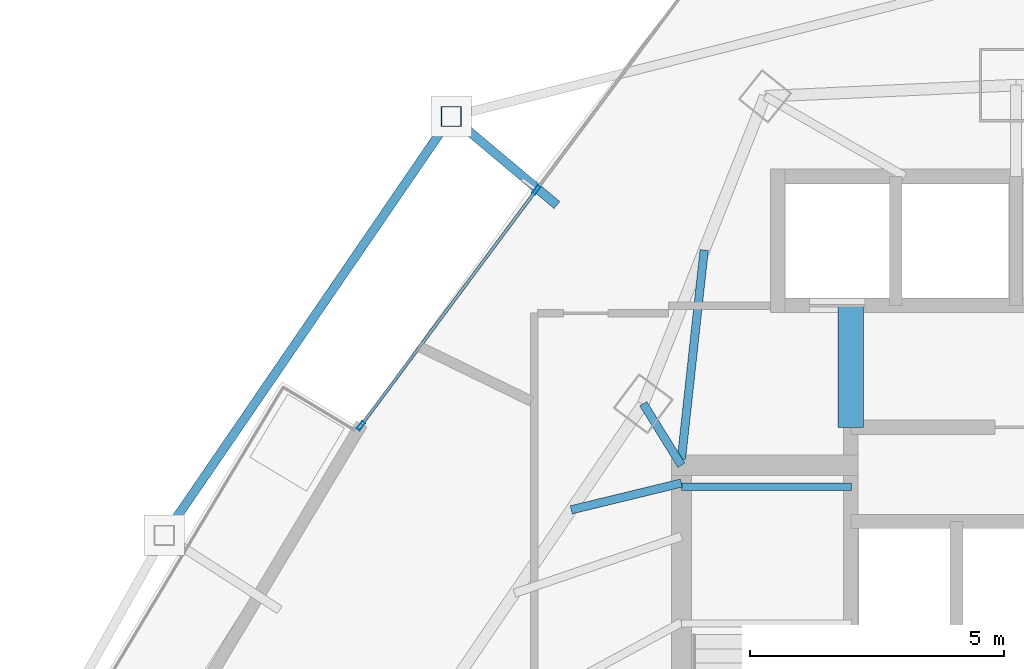
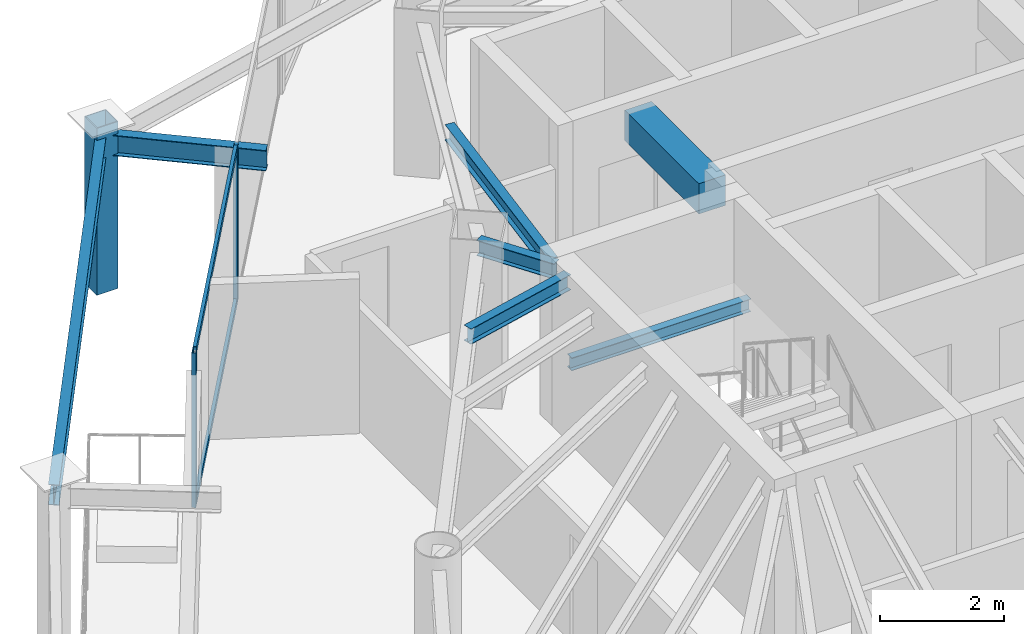
# One storey, part 17 of 31: 7 beams, 5 members, 1 element without a shape of its own.
"""IFC4 building model written with IfcOpenShell, lengths in metres."""

import ifcopenshell
import ifcopenshell.guid

model = None  # the IFC model being written
_history = None  # IfcOwnerHistory: only IFC2X3 demands one
_inside = {}  # id of a spatial element -> (the spatial element, [elements in it])
_under = {}  # id of a project, library or spatial element -> (it, [spatial elements below it])
_declared = {}  # id of a project -> (the project, [libraries it declares])
_typed = {}  # id of a type object -> (the type object, [elements of that type])
_made_of = {}  # id of a material, layer set ... -> (it, [elements and type objects made of it])


def new_model(schema):
    """Start an empty IFC model of exactly this schema.

    Asked for "IFC4X3", IfcOpenShell would pick the latest addendum, in which some entities
    have other attributes; the version numbers below select the first issue.
    IFC2X3 requires an IfcOwnerHistory on every rooted entity: one is made here for all.
    """
    global model, _history
    if schema == "IFC4X3":
        model = ifcopenshell.file(schema_version=(4, 3, 0, 0))
    else:
        model = ifcopenshell.file(schema=schema)
    _inside.clear()
    _under.clear()
    _declared.clear()
    _typed.clear()
    _made_of.clear()
    _history = None
    if model.schema == "IFC2X3":
        org = make("IfcOrganization", Name="unknown")
        user = make(
            "IfcPersonAndOrganization",
            ThePerson=make("IfcPerson", FamilyName="unknown"),
            TheOrganization=org,
        )
        app = make(
            "IfcApplication",
            ApplicationDeveloper=org,
            Version="unknown",
            ApplicationFullName="unknown",
            ApplicationIdentifier="unknown",
        )
        _history = make(
            "IfcOwnerHistory",
            OwningUser=user,
            OwningApplication=app,
            ChangeAction="ADDED",
            CreationDate=0,
        )
    return model


def make(cls, **values):
    """One entity of the class cls with the attributes given. An attribute that is None is left unset."""
    return model.create_entity(
        cls, **{name: value for name, value in values.items() if value is not None}
    )


def rooted(cls, **values):
    """An entity with a GlobalId (a new one), such as an element, a storey or a relation."""
    return make(cls, GlobalId=ifcopenshell.guid.new(), OwnerHistory=_history, **values)


def si_unit(unit_type, name, prefix=None):
    """IfcSIUnit, for example si_unit("LENGTHUNIT", "METRE", prefix="MILLI")."""
    return make("IfcSIUnit", UnitType=unit_type, Prefix=prefix, Name=name)


def assignment(units):
    """IfcUnitAssignment: the units of a project."""
    return None if units is None else make("IfcUnitAssignment", Units=units)


def point(xyz):
    """IfcCartesianPoint."""
    return None if xyz is None else make("IfcCartesianPoint", Coordinates=xyz)


def direction(xyz):
    """IfcDirection."""
    return None if xyz is None else make("IfcDirection", DirectionRatios=xyz)


def frame(location, z_axis=None, x_axis=None):
    """IfcAxis2Placement3D, a coordinate frame: its origin and axes. An axis left out is left unset."""
    return make(
        "IfcAxis2Placement3D",
        Location=point(location),
        Axis=direction(z_axis),
        RefDirection=direction(x_axis),
    )


def frame_2d(location, x_axis=None):
    """IfcAxis2Placement2D, a coordinate frame in the plane: its origin and x axis."""
    return make(
        "IfcAxis2Placement2D", Location=point(location), RefDirection=direction(x_axis)
    )


def origin():
    """The frame at (0, 0, 0) with its axes left unset."""
    return frame((0.0, 0.0, 0.0))


def origin_2d():
    """The frame at (0, 0) in the plane with its x axis left unset."""
    return frame_2d((0.0, 0.0))


def place(relative_to, where):
    """IfcLocalPlacement: puts the frame where relative to a parent placement (None: the world)."""
    return make(
        "IfcLocalPlacement", PlacementRelTo=relative_to, RelativePlacement=where
    )


def context(
    kind, dimensions, precision=None, world=None, true_north=None, identifier=None
):
    """IfcGeometricRepresentationContext, for example the 3D "Model" context."""
    return make(
        "IfcGeometricRepresentationContext",
        ContextIdentifier=identifier,
        ContextType=kind,
        CoordinateSpaceDimension=dimensions,
        Precision=precision,
        WorldCoordinateSystem=world,
        TrueNorth=true_north,
    )


def subcontext(parent, identifier, kind, view, scale=None):
    """IfcGeometricRepresentationSubContext, for example "Body" below "Model"."""
    return make(
        "IfcGeometricRepresentationSubContext",
        ContextIdentifier=identifier,
        ContextType=kind,
        ParentContext=parent,
        TargetScale=scale,
        TargetView=view,
    )


def project(units=None, contexts=None):
    """IfcProject with its units and contexts."""
    return rooted(
        "IfcProject",
        Name="project",
        RepresentationContexts=contexts,
        UnitsInContext=assignment(units),
    )


def spatial(cls, under=None, at=None, **own):
    """A site, building, storey or space (cls), placed at a placement, below another one or the project."""
    s = rooted(cls, ObjectPlacement=at, **own)
    if under is not None:
        _under.setdefault(under.id(), (under, []))[1].append(s)
    return s


def profile(cls, at=None, kind="AREA", **sizes):
    """A parametric profile (cls). Its sizes go by their IFC names, for example OverallWidth=200.0."""
    return make(cls, ProfileType=kind, Position=at, **sizes)


def rectangle(**sizes):
    """IfcRectangleProfileDef."""
    return profile("IfcRectangleProfileDef", **sizes)


def hollow_rectangle(**sizes):
    """IfcRectangleHollowProfileDef."""
    return profile("IfcRectangleHollowProfileDef", **sizes)


def i_section(**sizes):
    """IfcIShapeProfileDef."""
    return profile("IfcIShapeProfileDef", **sizes)


def extrude(swept, where, along, depth):
    """IfcExtrudedAreaSolid: the profile swept, set in the frame where, extruded along a direction by depth."""
    return make(
        "IfcExtrudedAreaSolid",
        SweptArea=swept,
        Position=where,
        ExtrudedDirection=direction(along),
        Depth=depth,
    )


def shape(context_of_items, identifier, shape_type, items):
    """IfcShapeRepresentation: the items that make up one representation, for example the "Body"."""
    return make(
        "IfcShapeRepresentation",
        ContextOfItems=context_of_items,
        RepresentationIdentifier=identifier,
        RepresentationType=shape_type,
        Items=items,
    )


def material(Name=None, Category=None):
    """IfcMaterial."""
    return make("IfcMaterial", Name=Name, Category=Category)


def layer(
    of_material, thickness, ventilated=None, Name=None, Category=None, Priority=None
):
    """IfcMaterialLayer: one layer of a wall or slab, of a material (None: an air gap)."""
    return make(
        "IfcMaterialLayer",
        Material=of_material,
        LayerThickness=thickness,
        IsVentilated=ventilated,
        Name=Name,
        Category=Category,
        Priority=Priority,
    )


def layer_set(layers, Name=None):
    """IfcMaterialLayerSet."""
    return make("IfcMaterialLayerSet", MaterialLayers=layers, LayerSetName=Name)


def material_profile(
    of_material, cross_section, Name=None, Category=None, Priority=None
):
    """IfcMaterialProfile: a cross section and its material."""
    return make(
        "IfcMaterialProfile",
        Name=Name,
        Material=of_material,
        Profile=cross_section,
        Priority=Priority,
        Category=Category,
    )


def profile_set(profiles, Name=None, composite=None):
    """IfcMaterialProfileSet."""
    return make(
        "IfcMaterialProfileSet",
        Name=Name,
        MaterialProfiles=profiles,
        CompositeProfile=composite,
    )


def made_of(thing, what):
    """Note that an element or type object is made of a material, layer set ...; save() writes the relation."""
    if what is not None:
        _made_of.setdefault(what.id(), (what, []))[1].append(thing)
    return thing


def type_object(cls, material=None, **own):
    """A type object (cls), such as IfcWallType, which elements share."""
    return made_of(rooted(cls, **own), material)


def element(
    cls,
    number,
    at=None,
    inside=None,
    cuts=None,
    type_object=None,
    material=None,
    context=None,
    identifier="Body",
    shape_type=None,
    held_by="IfcProductDefinitionShape",
    body=None,
    shapes=None,
    **own,
):
    """One element of the class cls, such as IfcWall. Its Tag is "e" and its number.

    at: its placement. inside: the storey or other place that contains it. cuts: it is an
    opening in that element (IfcRelVoidsElement). A single representation is given by context,
    identifier, shape_type and body (its items); several are given by shapes. held_by: the class
    of the entity that holds the representations. save() writes the other relations.
    """
    e = rooted(cls, Tag="e%d" % number, ObjectPlacement=at, **own)
    if body is not None:
        shapes = [shape(context, identifier, shape_type, body)]
    if shapes is not None:
        e.Representation = make(held_by, Representations=shapes)
    if inside is not None:
        _inside.setdefault(inside.id(), (inside, []))[1].append(e)
    if cuts is not None:
        rooted(
            "IfcRelVoidsElement", RelatingBuildingElement=cuts, RelatedOpeningElement=e
        )
    if type_object is not None:
        _typed.setdefault(type_object.id(), (type_object, []))[1].append(e)
    return made_of(e, material)


def aggregate(whole, parts):
    """IfcRelAggregates: a whole, such as a stair, and the parts it consists of."""
    return rooted("IfcRelAggregates", RelatingObject=whole, RelatedObjects=parts)


def save(model, path):
    """Write the relations noted so far, then the file.

    IfcRelAggregates (storeys below a building ...), IfcRelContainedInSpatialStructure (elements
    in a storey), IfcRelDefinesByType, IfcRelAssociatesMaterial and IfcRelDeclares: one each for
    every whole, place, type object, material and project.
    """
    for whole, parts in _under.values():
        aggregate(whole, parts)
    for where, things in _inside.values():
        rooted(
            "IfcRelContainedInSpatialStructure",
            RelatedElements=things,
            RelatingStructure=where,
        )
    for kind, things in _typed.values():
        rooted("IfcRelDefinesByType", RelatedObjects=things, RelatingType=kind)
    for what, things in _made_of.values():
        rooted("IfcRelAssociatesMaterial", RelatedObjects=things, RelatingMaterial=what)
    for by, libraries in _declared.values():
        rooted("IfcRelDeclares", RelatingContext=by, RelatedDefinitions=libraries)
    model.write(path)


model = new_model("IFC4")

# Units and contexts
model_context = context("Model", 3, precision=1e-05, world=origin(), true_north=direction((0.0, 1.0)))
body_context = subcontext(model_context, "Body", "Model", "MODEL_VIEW")
ifc_project = project(units=[si_unit("LENGTHUNIT", "METRE"), si_unit("AREAUNIT", "SQUARE_METRE"), si_unit("VOLUMEUNIT", "CUBIC_METRE"), si_unit("PLANEANGLEUNIT", "RADIAN"), si_unit("MASSUNIT", "GRAM", prefix="KILO")], contexts=[model_context])

# Site, building, storey
site_placement = place(None, origin())
site = spatial("IfcSite", under=ifc_project, at=site_placement, CompositionType="ELEMENT")
building_placement = place(site_placement, origin())
building = spatial("IfcBuilding", under=site, at=building_placement, Name="Orvanel Arch Residences", CompositionType="ELEMENT")
storey_placement = place(building_placement, frame((0.0, 0.0, 113.300048828125)))
storey = spatial("IfcBuildingStorey", under=building, at=storey_placement, Name="L31", CompositionType="ELEMENT", Elevation=113.300048828125)

# Beams
ifc_material_1 = material(Name="Structural steel AS/NZS 3679.1 Grade 300 (300 MPa)", Category="steel")
ifc_material_profile_1 = material_profile(ifc_material_1, i_section(OverallWidth=0.14599609375, OverallDepth=0.251953125, WebThickness=0.006103515625, FlangeThickness=0.008544921875, at=origin_2d()), Name="250UB31.4")
ifc_profile_set_1 = profile_set([ifc_material_profile_1], Name="Structural steel AS/NZS 3679.1 Grade 300 (300 MPa)")
beam_type_1 = type_object("IfcBeamType", Name="BJ-250UB", PredefinedType="JOIST", material=ifc_profile_set_1)
beam_1_placement = place(storey_placement, frame((26.39990234375, 33.47998046875, 1.323974609375), z_axis=(1.0, 0.0, 0.0), x_axis=(0.0, 1.0, 0.0)))
element("IfcBeam", 1, at=beam_1_placement, inside=storey, type_object=beam_type_1, Name="L31 ST-1 Half-Landing Support Beam 1.2", PredefinedType="JOIST", context=body_context, shape_type="SweptSolid", body=[
    extrude(i_section(OverallWidth=0.14599609375, OverallDepth=0.251953125, WebThickness=0.006103515625, FlangeThickness=0.008544921875, at=origin_2d()), origin(), (0.0, 0.0, 1.0), 3.35009765625),
])
ifc_material_profile_2 = material_profile(ifc_material_1, i_section(OverallWidth=0.1650390625, OverallDepth=0.303955078125, WebThickness=0.006103515625, FlangeThickness=0.01025390625, at=origin_2d()), Name="310UB40.4")
ifc_profile_set_2 = profile_set([ifc_material_profile_2], Name="Structural steel AS/NZS 3679.1 Grade 300 (300 MPa)")
beam_type_2 = type_object("IfcBeamType", Name="BJ-310UB", PredefinedType="JOIST", material=ifc_profile_set_2)
beam_2_placement = place(storey_placement, frame((26.39990234375, 33.89990234375, 2.907958984375), z_axis=(-0.526843290616, 0.84996243866, 0.0), x_axis=(-0.84996243866, -0.526843290616, 0.0)))
element("IfcBeam", 2, at=beam_2_placement, inside=storey, type_object=beam_type_2, Name="L31 NNW Wing Floor Joist", PredefinedType="JOIST", context=body_context, shape_type="SweptSolid", body=[
    extrude(i_section(OverallWidth=0.1650390625, OverallDepth=0.303955078125, WebThickness=0.006103515625, FlangeThickness=0.01025390625, at=origin_2d()), origin(), (0.0, 0.0, 1.0), 1.42724609375),
])
beam_3_placement = place(storey_placement, frame((26.39990234375, 34.02001953125, 2.907958984375), z_axis=(0.108261441852, 0.99412245735, 0.0), x_axis=(-0.99412245735, 0.108261441852, 0.0)))
element("IfcBeam", 3, at=beam_3_placement, inside=storey, type_object=beam_type_2, Name="L31 NNW2 Wing Floor Joist", PredefinedType="JOIST", context=body_context, shape_type="SweptSolid", body=[
    extrude(i_section(OverallWidth=0.1650390625, OverallDepth=0.303955078125, WebThickness=0.006103515625, FlangeThickness=0.01025390625, at=origin_2d()), origin(), (0.0, 0.0, 1.0), 4.1494140625),
])
beam_4_placement = place(storey_placement, frame((26.39990234375, 33.550048828125, 2.907958984375), z_axis=(-0.971638471014, -0.236471312521, 0.0), x_axis=(0.236471312521, -0.971638471014, 0.0)))
element("IfcBeam", 4, at=beam_4_placement, inside=storey, type_object=beam_type_2, Name="L31 JADD3 Wing Floor Joist", PredefinedType="JOIST", context=body_context, shape_type="SweptSolid", body=[
    extrude(i_section(OverallWidth=0.1650390625, OverallDepth=0.303955078125, WebThickness=0.006103515625, FlangeThickness=0.01025390625, at=origin_2d()), origin(), (0.0, 0.0, 1.0), 2.2373046875),
])
ifc_material_2 = material(Name="Concrete S65 (65 MPa)", Category="concrete")
ifc_material_profile_3 = material_profile(ifc_material_2, rectangle(XDim=0.5, YDim=0.60009765625, at=origin_2d()), Name="RC500x600")
ifc_profile_set_3 = profile_set([ifc_material_profile_3], Name="Concrete S65 (65 MPa)")
beam_type_3 = type_object("IfcBeamType", Name="CB-500x600", PredefinedType="LINTEL", material=ifc_profile_set_3)
beam_5_placement = place(storey_placement, frame((29.739990234375, 34.64990234375, 2.760009765625), z_axis=(0.0, 1.0, 0.0), x_axis=(-1.0, 0.0, 0.0)))
element("IfcBeam", 5, at=beam_5_placement, inside=storey, type_object=beam_type_3, Name="L31 West Core Lobby Coupling Lintel Beam", PredefinedType="LINTEL", context=body_context, shape_type="SweptSolid", body=[
    extrude(rectangle(XDim=0.5, YDim=0.60009765625, at=origin_2d()), origin(), (0.0, 0.0, 1.0), 2.400146484375),
])

# Curtain wall, members
ifc_material_3 = material(Name="Bronze-anodised aluminium AA6063-T6", Category="aluminium")
ifc_layer = layer(ifc_material_3, 0.179931640625)
ifc_layer_set = layer_set([ifc_layer], Name="Bronze-anodised aluminium AA6063-T6")
curtain_wall_type = type_object("IfcCurtainWallType", Name="CW3-MID-SYS", PredefinedType="NOTDEFINED", material=ifc_layer_set)
curtain_wall_placement = place(storey_placement, origin())
curtain_wall = element("IfcCurtainWall", 6, at=curtain_wall_placement, inside=storey, type_object=curtain_wall_type, Name="L31 CW3-MID-SYS Unitised Curtain Wall", PredefinedType="NOTDEFINED")
ifc_material_profile_4 = material_profile(ifc_material_3, hollow_rectangle(XDim=0.070068359375, YDim=0.179931640625, WallThickness=0.00439453125, at=origin_2d()), Name="ALU180x70x4.5")
ifc_profile_set_4 = profile_set([ifc_material_profile_4], Name="Bronze-anodised aluminium AA6063-T6")
member_type_1 = type_object("IfcMemberType", Name="MUL-180x70", PredefinedType="MULLION", material=ifc_profile_set_4)
member_1_placement = place(storey_placement, frame((23.5390625, 39.32958984375, 0.0), z_axis=(0.0, 0.0, 1.0), x_axis=(0.802267592094, -0.596964580755, 0.0)))
member_1 = element("IfcMember", 7, at=member_1_placement, type_object=member_type_1, Name="CW-S3 mullion 2", PredefinedType="MULLION", context=body_context, shape_type="SweptSolid", body=[
    extrude(hollow_rectangle(XDim=0.070068359375, YDim=0.179931640625, WallThickness=0.00439453125, at=origin_2d()), origin(), (0.0, 0.0, 1.0), 3.06005859375),
])
member_2_placement = place(storey_placement, frame((20.077880859375, 34.677978515625, 0.0), z_axis=(0.0, 0.0, 1.0), x_axis=(0.802267592094, -0.596964580755, 0.0)))
member_2 = element("IfcMember", 8, at=member_2_placement, type_object=member_type_1, Name="CW-S3 mullion 3", PredefinedType="MULLION", context=body_context, shape_type="SweptSolid", body=[
    extrude(hollow_rectangle(XDim=0.070068359375, YDim=0.179931640625, WallThickness=0.00439453125, at=origin_2d()), origin(), (0.0, 0.0, 1.0), 3.06005859375),
])

# Beams
ifc_material_profile_5 = material_profile(ifc_material_1, i_section(OverallWidth=0.177978515625, OverallDepth=0.406005859375, WebThickness=0.0078125, FlangeThickness=0.0126953125, at=origin_2d()), Name="410UB59.7")
ifc_profile_set_5 = profile_set([ifc_material_profile_5], Name="Structural steel AS/NZS 3679.1 Grade 300 (300 MPa)")
beam_type_4 = type_object("IfcBeamType", Name="OB-410UB-EXT", PredefinedType="SPANDREL", material=ifc_profile_set_5)
beam_6_placement = place(storey_placement, frame((23.945068359375, 39.032958984375, 2.85693359375), z_axis=(-0.766334114051, 0.642442235257, 0.0), x_axis=(-0.642442235257, -0.766334114051, 0.0)))
element("IfcBeam", 9, at=beam_6_placement, inside=storey, type_object=beam_type_4, Name="L31 Outer Frame Radial Tie Beam 01", PredefinedType="SPANDREL", context=body_context, shape_type="SweptSolid", body=[
    extrude(i_section(OverallWidth=0.177978515625, OverallDepth=0.406005859375, WebThickness=0.0078125, FlangeThickness=0.0126953125, at=origin_2d()), origin(), (0.0, 0.0, 1.0), 2.719482421875),
])
beam_7_placement = place(storey_placement, frame((21.861083984375, 40.780029296875, 2.85693359375), z_axis=(-0.565130371441, -0.825001614105, 0.0), x_axis=(0.825001614105, -0.565130371441, 0.0)))
element("IfcBeam", 10, at=beam_7_placement, inside=storey, type_object=beam_type_4, Name="L31 Outer Perimeter Floor Ring Beam 01", PredefinedType="SPANDREL", context=body_context, shape_type="SweptSolid", body=[
    extrude(i_section(OverallWidth=0.177978515625, OverallDepth=0.406005859375, WebThickness=0.0078125, FlangeThickness=0.0126953125, at=origin_2d()), origin(), (0.0, 0.0, 1.0), 10.015625),
])

# Member
ifc_material_4 = material(Name="Structural steel AS/NZS 1163 C450L0 (Grade 450)", Category="steel")
ifc_material_profile_6 = material_profile(ifc_material_4, hollow_rectangle(XDim=0.39990234375, YDim=0.39990234375, WallThickness=0.01611328125, at=origin_2d()), Name="SHS400x400x16")
ifc_profile_set_6 = profile_set([ifc_material_profile_6], Name="Structural steel AS/NZS 1163 C450L0 (Grade 450)")
member_type_2 = type_object("IfcMemberType", Name="ST-400SHS-EXT", PredefinedType="STRUT", material=ifc_profile_set_6)
member_3_placement = place(storey_placement, frame((21.861083984375, 40.780029296875, 0.0), z_axis=(0.0, 0.0, 1.0), x_axis=(1.0, 0.0, 0.0)))
element("IfcMember", 11, at=member_3_placement, inside=storey, type_object=member_type_2, Name="L31 Outer Perimeter Frame Post 01", PredefinedType="STRUT", context=body_context, shape_type="SweptSolid", body=[
    extrude(hollow_rectangle(XDim=0.39990234375, YDim=0.39990234375, WallThickness=0.01611328125, at=origin_2d()), origin(), (0.0, 0.0, 1.0), 3.300048828125),
])

ifc_material_profile_7 = material_profile(ifc_material_3, hollow_rectangle(XDim=0.06005859375, YDim=0.135009765625, WallThickness=0.00390625, at=origin_2d()), Name="ALU135x60x4")
ifc_profile_set_7 = profile_set([ifc_material_profile_7], Name="Bronze-anodised aluminium AA6063-T6")
member_type_3 = type_object("IfcMemberType", Name="TRN-135x60", PredefinedType="USERDEFINED", material=ifc_profile_set_7)
member_4_placement = place(storey_placement, frame((23.51806640625, 39.301513671875, 0.030029296875), z_axis=(-0.596933576547, -0.802290661288, 0.0), x_axis=(0.802290661288, -0.596933576547, 0.0)))
member_4 = element("IfcMember", 12, at=member_4_placement, type_object=member_type_3, Name="CW-S3 transom 2.1", ObjectType="TRANSOM", PredefinedType="USERDEFINED", context=body_context, shape_type="SweptSolid", body=[
    extrude(hollow_rectangle(XDim=0.06005859375, YDim=0.135009765625, WallThickness=0.00390625, at=origin_2d()), origin(), (0.0, 0.0, 1.0), 5.72802734375),
])

member_5_placement = place(storey_placement, frame((23.51806640625, 39.301513671875, 3.030029296875), z_axis=(-0.596933576547, -0.802290661288, 0.0), x_axis=(0.802290661288, -0.596933576547, 0.0)))
member_5 = element("IfcMember", 13, at=member_5_placement, type_object=member_type_3, Name="CW-S3 transom 2.2", ObjectType="TRANSOM", PredefinedType="USERDEFINED", context=body_context, shape_type="SweptSolid", body=[
    extrude(hollow_rectangle(XDim=0.06005859375, YDim=0.135009765625, WallThickness=0.00390625, at=origin_2d()), origin(), (0.0, 0.0, 1.0), 5.72802734375),
])

aggregate(curtain_wall, [member_1, member_2, member_4, member_5])

save(model, "model.ifc")
